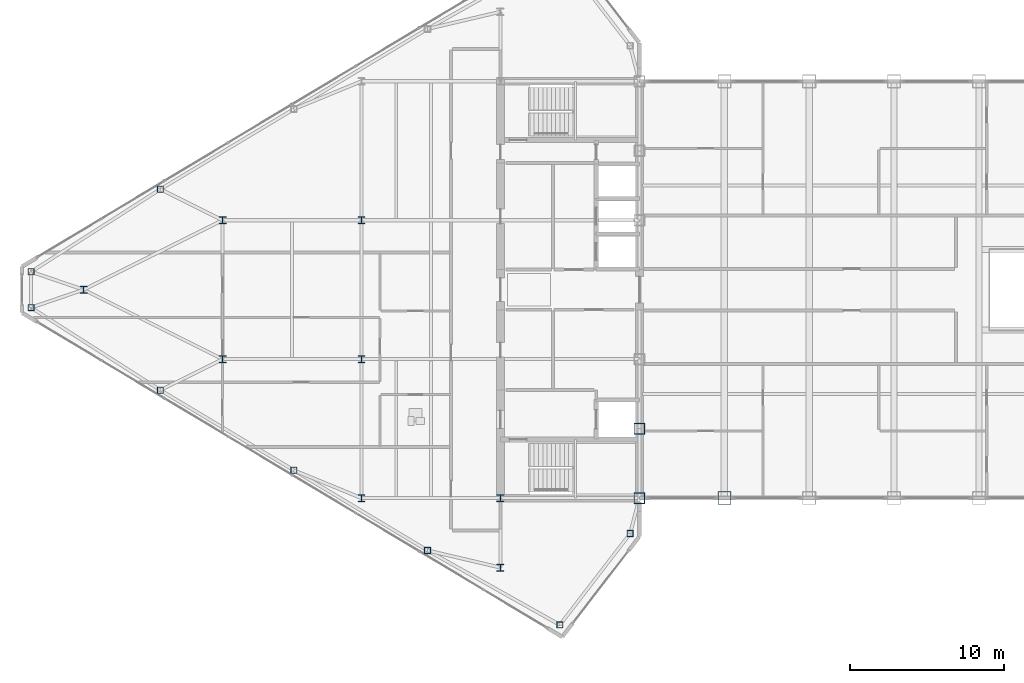
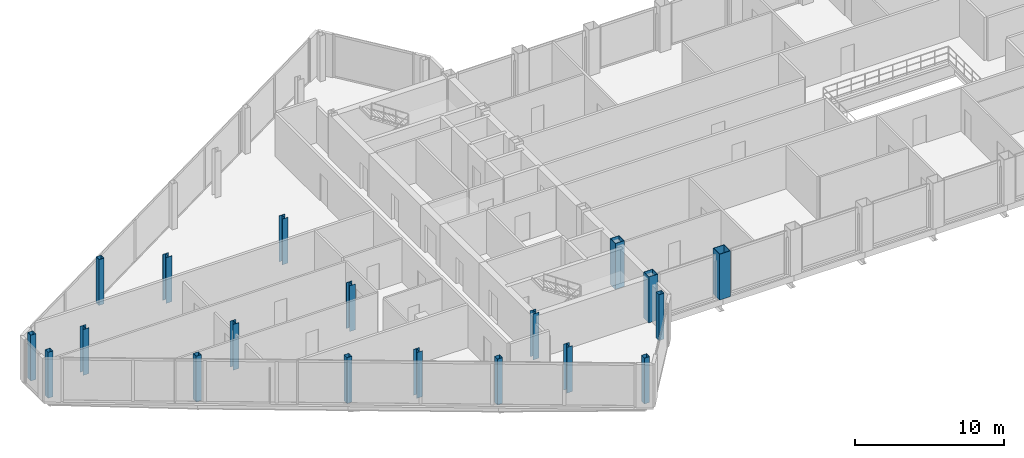
# One storey, part 1 of 29: 19 columns.
"""IFC4 building model written with IfcOpenShell, lengths in metres."""

from ifc_helpers import new_model, si_unit, direction, frame, origin, origin_2d, place, context, subcontext, project, spatial, hollow_rectangle, i_section, extrude, source, transform, mapped, material, material_profile, profile_set, type_object, type_shapes, element, save


model = new_model("IFC4")

# Units and contexts
model_context = context("Model", 3, precision=1e-05, world=origin(), true_north=direction((0.0, 1.0)))
body_context = subcontext(model_context, "Body", "Model", "MODEL_VIEW")
ifc_project = project(units=[si_unit("LENGTHUNIT", "METRE"), si_unit("AREAUNIT", "SQUARE_METRE"), si_unit("VOLUMEUNIT", "CUBIC_METRE"), si_unit("PLANEANGLEUNIT", "RADIAN"), si_unit("MASSUNIT", "GRAM", prefix="KILO")], contexts=[model_context])

# Site, building, storey
site_placement = place(None, origin())
site = spatial("IfcSite", under=ifc_project, at=site_placement, CompositionType="ELEMENT")
building_placement = place(site_placement, origin())
building = spatial("IfcBuilding", under=site, at=building_placement, Name="Seokmaru Belvedere", CompositionType="ELEMENT")
storey_placement = place(building_placement, frame((0.0, 0.0, 250.64990234375)))
storey = spatial("IfcBuildingStorey", under=building, at=storey_placement, Name="L66", CompositionType="ELEMENT", Elevation=250.64990234375)

# Columns
ifc_material_1 = material(Name="Steel SM355 (355 MPa)", Category="steel")
ifc_material_profile_1 = material_profile(ifc_material_1, hollow_rectangle(XDim=0.699951171875, YDim=0.699951171875, WallThickness=0.030029296875, at=origin_2d()), Name="BOX-700x700x30")
ifc_profile_set_1 = profile_set([ifc_material_profile_1], Name="Steel SM355 (355 MPa)")
column_type_1 = type_object("IfcColumnType", Name="Upper Spine Column BOX-700", PredefinedType="COLUMN", material=ifc_profile_set_1)
shared_shape_1 = source(origin(), body_context, "Body", "SweptSolid", [
    extrude(hollow_rectangle(XDim=0.699951171875, YDim=0.699951171875, WallThickness=0.030029296875, at=origin_2d()), origin(), (0.0, 0.0, 1.0), 3.75),
])
type_shapes(column_type_1, [shared_shape_1])
for number, where, z_axis, x_axis, name in (
    (1, (-27.5, -13.5, 0.0), (0.0, 0.0, 1.0), (1.0, 0.0, 0.0), "L66 Column WS1"),
    (2, (-27.5, -9.0, 0.0), (0.0, 0.0, 1.0), (1.0, 0.0, 0.0), "L66 Column WS2"),
):
    element("IfcColumn", number, at=place(storey_placement, frame(where, z_axis=z_axis, x_axis=x_axis)), inside=storey, type_object=column_type_1, Name=name, PredefinedType="COLUMN", context=body_context, shape_type="MappedRepresentation", body=[
        mapped(shared_shape_1, transform((0.0, 0.0, 0.0), scale=1.0)),
    ])
ifc_material_profile_2 = material_profile(ifc_material_1, i_section(OverallWidth=0.449951171875, OverallDepth=0.449951171875, WebThickness=0.01611328125, FlangeThickness=0.02490234375, at=origin_2d()), Name="H-450x450x16x25")
ifc_profile_set_2 = profile_set([ifc_material_profile_2], Name="Steel SM355 (355 MPa)")
column_type_2 = type_object("IfcColumnType", Name="Sky-Gate Column H-450", PredefinedType="COLUMN", material=ifc_profile_set_2)
shared_shape_2 = source(origin(), body_context, "Body", "SweptSolid", [
    extrude(i_section(OverallWidth=0.449951171875, OverallDepth=0.449951171875, WebThickness=0.01611328125, FlangeThickness=0.02490234375, at=origin_2d()), origin(), (0.0, 0.0, 1.0), 3.75),
])
type_shapes(column_type_2, [shared_shape_2])
for number, where, z_axis, x_axis, name in (
    (3, (-36.5, -18.0, 0.0), (0.0, 0.0, 1.0), (1.0, 0.0, 0.0), "L66 Column WC1"),
    (4, (-36.5, -13.5, 0.0), (0.0, 0.0, 1.0), (1.0, 0.0, 0.0), "L66 Column WC2"),
    (5, (-45.5, -13.5, 0.0), (0.0, 0.0, 1.0), (1.0, 0.0, 0.0), "L66 Column WG5_1"),
    (6, (-45.5, -4.5, 0.0), (0.0, 0.0, 1.0), (1.0, 0.0, 0.0), "L66 Column WG5_2"),
    (7, (-45.5, 4.5, 0.0), (0.0, 0.0, 1.0), (1.0, 0.0, 0.0), "L66 Column WG5_3"),
    (8, (-54.5, -4.5, 0.0), (0.0, 0.0, 1.0), (1.0, 0.0, 0.0), "L66 Column WG4P_1"),
    (9, (-54.5, 4.5, 0.0), (0.0, 0.0, 1.0), (1.0, 0.0, 0.0), "L66 Column WG4P_2"),
    (10, (-63.5, 0.0, 0.0), (0.0, 0.0, 1.0), (1.0, 0.0, 0.0), "L66 Column WG3P_1"),
):
    element("IfcColumn", number, at=place(storey_placement, frame(where, z_axis=z_axis, x_axis=x_axis)), inside=storey, type_object=column_type_2, Name=name, PredefinedType="COLUMN", context=body_context, shape_type="MappedRepresentation", body=[
        mapped(shared_shape_2, transform((0.0, 0.0, 0.0), scale=1.0)),
    ])
ifc_material_profile_3 = material_profile(ifc_material_1, hollow_rectangle(XDim=0.39990234375, YDim=0.39990234375, WallThickness=0.01611328125, at=origin_2d()), Name="HSS-400x400x16")
ifc_profile_set_3 = profile_set([ifc_material_profile_3], Name="Steel SM355 (355 MPa)")
column_type_3 = type_object("IfcColumnType", Name="Perimeter Facet Column HSS-400", PredefinedType="COLUMN", material=ifc_profile_set_3)
shared_shape_3 = source(origin(), body_context, "Body", "SweptSolid", [
    extrude(hollow_rectangle(XDim=0.39990234375, YDim=0.39990234375, WallThickness=0.01611328125, at=origin_2d()), origin(), (0.0, 0.0, 1.0), 3.75),
])
type_shapes(column_type_3, [shared_shape_3])
for number, where, z_axis, x_axis, name in (
    (11, (-28.10009765625, -15.7958984375, 0.0), (0.0, 0.0, 1.0), (1.0, 0.0, 0.0), "L66 Column WF1"),
    (12, (-66.89990234375, 1.160400390625, 0.0), (0.0, 0.0, 1.0), (1.0, 0.0, 0.0), "L66 Column WF4"),
    (13, (-66.89990234375, -1.160400390625, 0.0), (0.0, 0.0, 1.0), (1.0, 0.0, 0.0), "L66 Column WF5"),
    (14, (-32.649658203125, -21.71044921875, 0.0), (0.0, 0.0, 1.0), (1.0, 0.0, 0.0), "L66 Column WF6"),
    (15, (-41.229736328125, -16.888916015625, 0.0), (0.0, 0.0, 1.0), (1.0, 0.0, 0.0), "L66 Column WFLK_S1"),
    (16, (-49.8798828125, -11.698974609375, 0.0), (0.0, 0.0, 1.0), (1.0, 0.0, 0.0), "L66 Column WFLK_S2"),
    (17, (-58.530029296875, -6.5087890625, 0.0), (0.0, 0.0, 1.0), (1.0, 0.0, 0.0), "L66 Column WFLK_S3"),
    (18, (-58.530029296875, 6.5087890625, 0.0), (0.0, 0.0, 1.0), (1.0, 0.0, 0.0), "L66 Column WFLK_N3"),
):
    element("IfcColumn", number, at=place(storey_placement, frame(where, z_axis=z_axis, x_axis=x_axis)), inside=storey, type_object=column_type_3, Name=name, PredefinedType="COLUMN", context=body_context, shape_type="MappedRepresentation", body=[
        mapped(shared_shape_3, transform((0.0, 0.0, 0.0), scale=1.0)),
    ])
ifc_material_2 = material(Name="Steel HSA650 (650 MPa)", Category="steel")
ifc_material_profile_4 = material_profile(ifc_material_2, hollow_rectangle(XDim=0.85009765625, YDim=0.85009765625, WallThickness=0.035888671875, at=origin_2d()), Name="BOX-850x850x36")
ifc_profile_set_4 = profile_set([ifc_material_profile_4], Name="Steel HSA650 (650 MPa)")
column_type_4 = type_object("IfcColumnType", Name="Portal Spine Column BOX-850", PredefinedType="COLUMN", material=ifc_profile_set_4)
shared_shape_4 = source(origin(), body_context, "Body", "SweptSolid", [
    extrude(hollow_rectangle(XDim=0.85009765625, YDim=0.85009765625, WallThickness=0.035888671875, at=origin_2d()), origin(), (0.0, 0.0, 1.0), 3.75),
])
type_shapes(column_type_4, [shared_shape_4])
column_placement = place(storey_placement, frame((-22.0, -13.5, 0.0), z_axis=(0.0, 0.0, 1.0), x_axis=(1.0, 0.0, 0.0)))
element("IfcColumn", 19, at=column_placement, inside=storey, type_object=column_type_4, Name="L66 Column BRS_1", PredefinedType="COLUMN", context=body_context, shape_type="MappedRepresentation", body=[
    mapped(shared_shape_4, transform((0.0, 0.0, 0.0), scale=1.0)),
])

save(model, "model.ifc")
